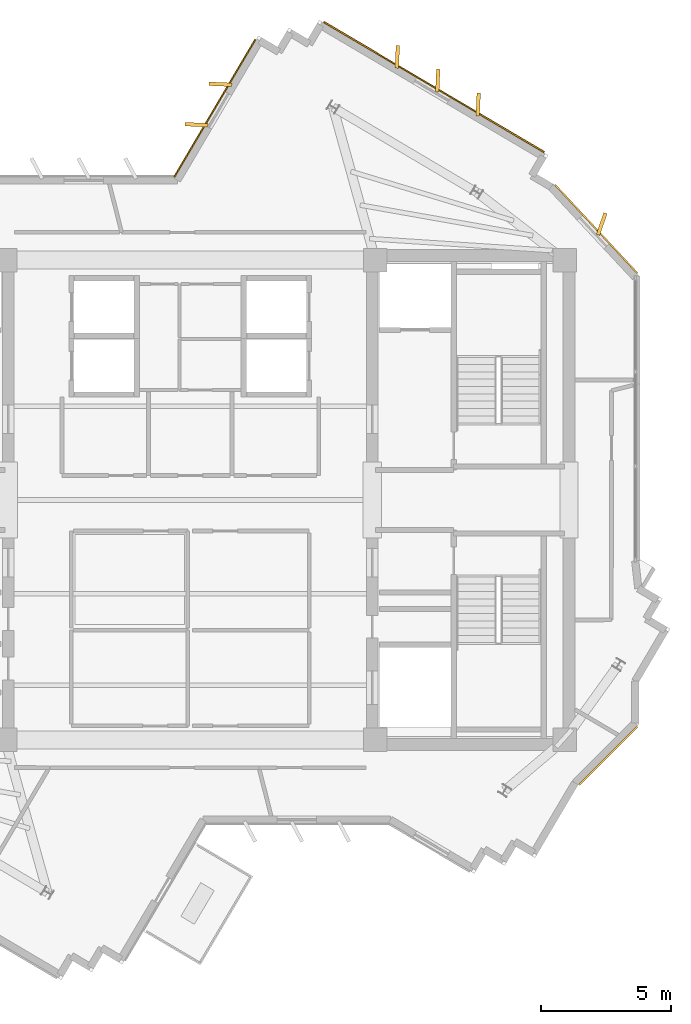
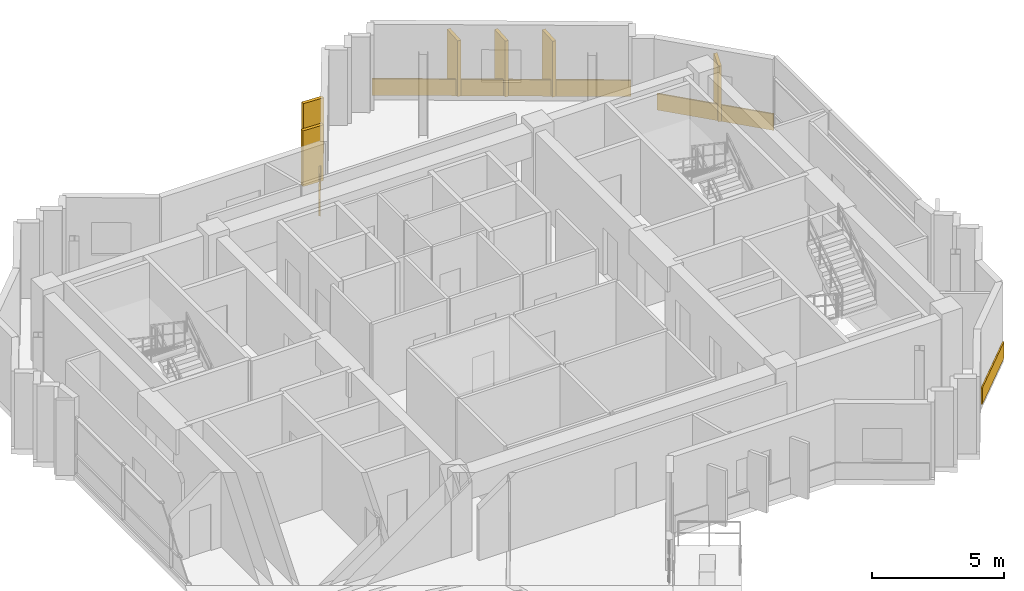
# One storey, part 10 of 10: 10 coverings.
"""IFC4 building model written with IfcOpenShell, lengths in metres."""

from ifc_helpers import new_model, si_unit, direction, frame, origin, origin_2d, place, context, subcontext, project, spatial, rectangle, extrude, source, transform, mapped, material, layer, layer_set, type_object, element, save


model = new_model("IFC4")

# Units and contexts
model_context = context("Model", 3, precision=1e-05, world=origin(), true_north=direction((0.0, 1.0)))
body_context = subcontext(model_context, "Body", "Model", "MODEL_VIEW")
ifc_project = project(units=[si_unit("LENGTHUNIT", "METRE"), si_unit("AREAUNIT", "SQUARE_METRE"), si_unit("VOLUMEUNIT", "CUBIC_METRE"), si_unit("PLANEANGLEUNIT", "RADIAN"), si_unit("MASSUNIT", "GRAM", prefix="KILO")], contexts=[model_context])

# Site, building, storey
site_placement = place(None, origin())
site = spatial("IfcSite", under=ifc_project, at=site_placement, CompositionType="ELEMENT")
building_placement = place(site_placement, origin())
building = spatial("IfcBuilding", under=site, at=building_placement, Name="Zahravan Cultural Tower", CompositionType="ELEMENT")
storey_placement = place(building_placement, frame((0.0, 0.0, 342.300048828125)))
storey = spatial("IfcBuildingStorey", under=building, at=storey_placement, Name="L83", CompositionType="ELEMENT", Elevation=342.300048828125)

# Coverings
ifc_material = material(Name="Terracotta ceramic cladding", Category="masonry")
ifc_layer = layer(ifc_material, 0.06005859375)
ifc_layer_set = layer_set([ifc_layer], Name="Terracotta ceramic cladding")
covering_type = type_object("IfcCoveringType", Name="COV-CLAD-TC60", PredefinedType="CLADDING", material=ifc_layer_set)
shared_shape_1 = source(origin(), body_context, "Body", "SweptSolid", [
    extrude(rectangle(XDim=9.820068359375, YDim=0.06005859375, at=origin_2d()), origin(), (0.0, 0.0, 1.0), 0.760009765625),
])
covering_1_placement = place(storey_placement, frame((45.344970703125, 42.8330078125, 0.02001953125), z_axis=(0.0, 0.0, 1.0), x_axis=(0.861185921638, -0.508290082898, 0.0)))
element("IfcCovering", 1, at=covering_1_placement, inside=storey, type_object=covering_type, Name="L83 Terracotta Spandrel Cladding 06", PredefinedType="CLADDING", context=body_context, shape_type="MappedRepresentation", body=[
    mapped(shared_shape_1, transform((0.0, 0.0, 0.0), x_axis=(1.0, 0.0, 0.0), y_axis=(0.0, 1.0, 0.0), z_axis=(0.0, 0.0, 1.0), scale=1.0)),
])
shared_shape_2 = source(origin(), body_context, "Body", "SweptSolid", [
    extrude(rectangle(XDim=0.8798828125, YDim=0.139892578125, at=origin_2d()), origin(), (0.0, 0.0, 1.0), 2.580078125),
])
for number, where, z_axis, x_axis, name in (
    (2, (36.237060546875, 41.3896484375, 0.0498046875), (0.0, 0.0, 1.0), (-0.999010552447, 0.044473768672, 0.0), "L83 Herringbone Terracotta Fin 01"),
    (3, (37.15185546875, 42.939697265625, 0.0498046875), (0.0, 0.0, 1.0), (-0.999010552447, 0.044473768672, 0.0), "L83 Herringbone Terracotta Fin 02"),
    (4, (43.939697265625, 43.993408203125, 0.0498046875), (0.0, 0.0, 1.0), (0.044491204688, 0.999009776081, 0.0), "L83 Herringbone Terracotta Fin 03"),
    (5, (45.48974609375, 43.078369140625, 0.0498046875), (0.0, 0.0, 1.0), (0.044491204688, 0.999009776081, 0.0), "L83 Herringbone Terracotta Fin 04"),
    (6, (47.0400390625, 42.16357421875, 0.0498046875), (0.0, 0.0, 1.0), (0.044491204688, 0.999009776081, 0.0), "L83 Herringbone Terracotta Fin 05"),
    (7, (51.775390625, 37.58056640625, 0.0498046875), (0.0, 0.0, 1.0), (0.32591468324, 0.945399185132, 0.0), "L83 Herringbone Terracotta Fin 06"),
):
    element("IfcCovering", number, at=place(storey_placement, frame(where, z_axis=z_axis, x_axis=x_axis)), inside=storey, type_object=covering_type, Name=name, PredefinedType="CLADDING", context=body_context, shape_type="MappedRepresentation", body=[
        mapped(shared_shape_2, transform((0.0, 0.0, 0.0), x_axis=(1.0, 0.0, 0.0), y_axis=(0.0, 1.0, 0.0), z_axis=(0.0, 0.0, 1.0), scale=1.0)),
    ])
shared_shape_3 = source(origin(), body_context, "Body", "SweptSolid", [
    extrude(rectangle(XDim=6.11474609375, YDim=0.06005859375, at=origin_2d()), origin(), (0.0, 0.0, 1.0), 0.760009765625),
])
covering_2_placement = place(storey_placement, frame((36.93994140625, 42.02001953125, 0.02001953125), z_axis=(0.0, 0.0, 1.0), x_axis=(0.508275052291, 0.861194792842, 0.0)))
element("IfcCovering", 8, at=covering_2_placement, inside=storey, type_object=covering_type, Name="L83 Terracotta Spandrel Cladding 01", PredefinedType="CLADDING", context=body_context, shape_type="MappedRepresentation", body=[
    mapped(shared_shape_3, transform((0.0, 0.0, 0.0), x_axis=(1.0, 0.0, 0.0), y_axis=(0.0, 1.0, 0.0), z_axis=(0.0, 0.0, 1.0), scale=1.0)),
])
shared_shape_4 = source(origin(), body_context, "Body", "SweptSolid", [
    extrude(rectangle(XDim=4.63427734375, YDim=0.06005859375, at=origin_2d()), origin(), (0.0, 0.0, 1.0), 0.760009765625),
])
covering_3_placement = place(storey_placement, frame((51.56689453125, 37.38623046875, 0.02001953125), z_axis=(0.0, 0.0, 1.0), x_axis=(0.681730259128, -0.731603617944, 0.0)))
element("IfcCovering", 9, at=covering_3_placement, inside=storey, type_object=covering_type, Name="L83 Terracotta Spandrel Cladding 09", PredefinedType="CLADDING", context=body_context, shape_type="MappedRepresentation", body=[
    mapped(shared_shape_4, transform((0.0, 0.0, 0.0), x_axis=(1.0, 0.0, 0.0), y_axis=(0.0, 1.0, 0.0), z_axis=(0.0, 0.0, 1.0), scale=1.0)),
])
shared_shape_5 = source(origin(), body_context, "Body", "SweptSolid", [
    extrude(rectangle(XDim=3.160400390625, YDim=0.06005859375, at=origin_2d()), origin(), (0.0, 0.0, 1.0), 0.760009765625),
])
covering_4_placement = place(storey_placement, frame((52.02392578125, 17.1884765625, 0.02001953125), z_axis=(0.0, 0.0, 1.0), x_axis=(-0.707094439737, -0.70711912242, 0.0)))
element("IfcCovering", 10, at=covering_4_placement, inside=storey, type_object=covering_type, Name="L83 Terracotta Spandrel Cladding 16", PredefinedType="CLADDING", context=body_context, shape_type="MappedRepresentation", body=[
    mapped(shared_shape_5, transform((0.0, 0.0, 0.0), x_axis=(1.0, 0.0, 0.0), y_axis=(0.0, 1.0, 0.0), z_axis=(0.0, 0.0, 1.0), scale=1.0)),
])

save(model, "model.ifc")
